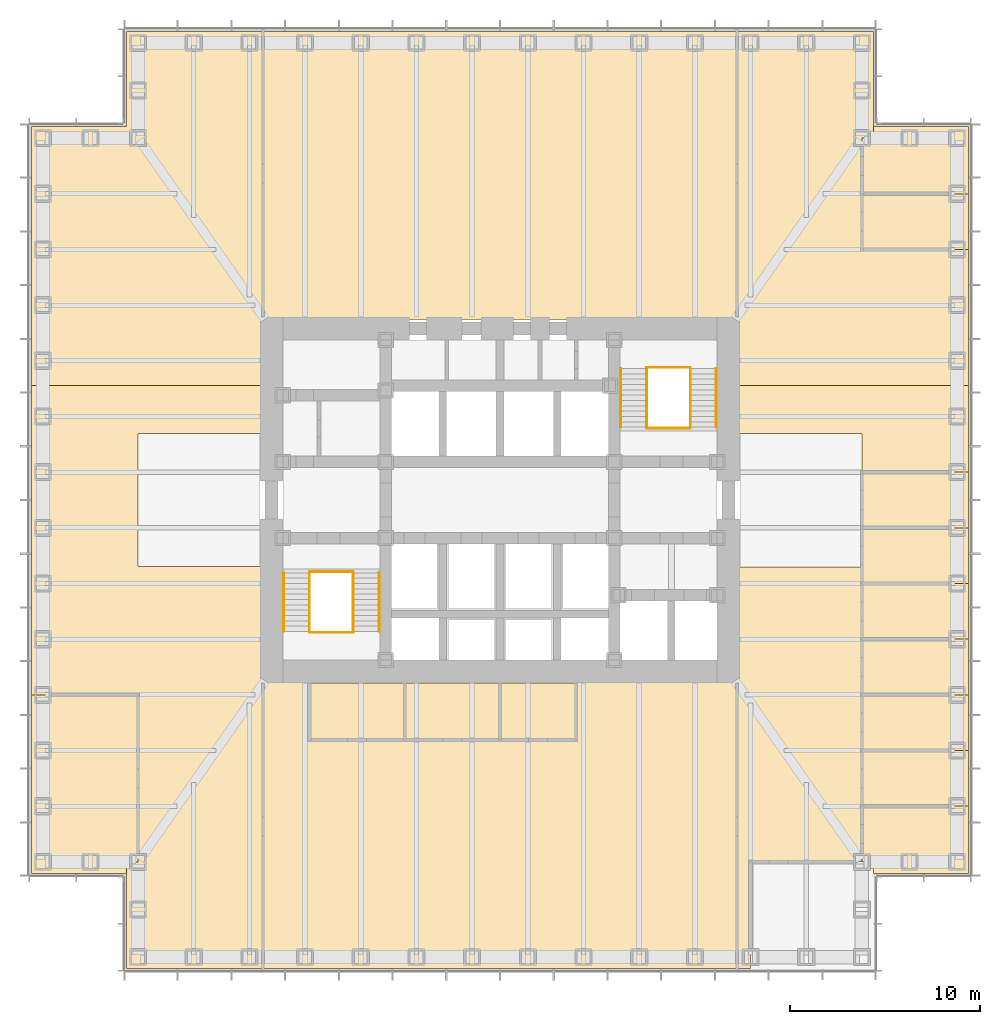
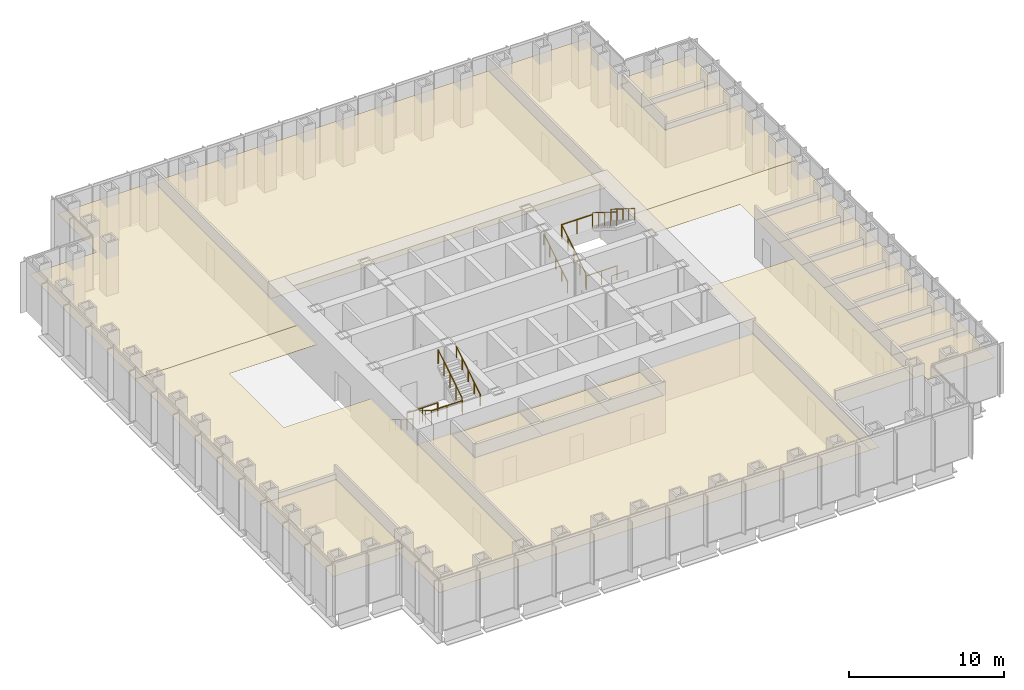
# One storey, part 16 of 16: 20 coverings, 12 railings.
"""IFC4 building model written with IfcOpenShell, lengths in metres."""

from ifc_helpers import new_model, si_unit, direction, frame, origin, origin_2d, place, context, subcontext, project, spatial, polyline, circle, outline, extrude, material, layer, layer_set, type_object, element, save


model = new_model("IFC4")

# Units and contexts
model_context = context("Model", 3, precision=1e-05, world=origin(), true_north=direction((0.0, 1.0)))
body_context = subcontext(model_context, "Body", "Model", "MODEL_VIEW")
ifc_project = project(units=[si_unit("LENGTHUNIT", "METRE"), si_unit("AREAUNIT", "SQUARE_METRE"), si_unit("VOLUMEUNIT", "CUBIC_METRE"), si_unit("PLANEANGLEUNIT", "RADIAN"), si_unit("MASSUNIT", "GRAM", prefix="KILO")], contexts=[model_context])

# Site, building, storey
site_placement = place(None, origin())
site = spatial("IfcSite", under=ifc_project, at=site_placement, CompositionType="ELEMENT")
building_placement = place(site_placement, origin())
building = spatial("IfcBuilding", under=site, at=building_placement, Name="Daluyong Arena Tower", CompositionType="ELEMENT")
storey_placement = place(building_placement, frame((0.0, 0.0, 72.699951171875)))
storey = spatial("IfcBuildingStorey", under=building, at=storey_placement, Name="L15", CompositionType="ELEMENT", Elevation=72.699951171875)

# Coverings
ifc_material_1 = material(Name="Mineral fibre ceiling tile", Category="gypsum board")
ifc_layer = layer(ifc_material_1, 0.02001953125)
ifc_layer_set = layer_set([ifc_layer], Name="Mineral fibre ceiling tile")
covering_type = type_object("IfcCoveringType", Name="Office ceiling", PredefinedType="CEILING", material=ifc_layer_set)
covering_1_placement = place(storey_placement, frame((0.0, 0.0, 2.900146484375)))
element("IfcCovering", 1, at=covering_1_placement, inside=storey, type_object=covering_type, Name="ceiling L15-02", PredefinedType="CEILING", context=body_context, shape_type="SweptSolid", body=[
    extrude(outline(polyline([(75.60009765625, 60.39990234375), (80.60009765625, 60.39990234375), (80.60009765625, 63.923095703125), (75.0, 63.923095703125), (75.0, 61.0), (75.60009765625, 61.0), (75.60009765625, 60.39990234375)])), origin(), (0.0, 0.0, 1.0), 0.02001953125),
])
covering_2_placement = place(storey_placement, frame((0.0, 0.0, 2.900146484375)))
element("IfcCovering", 2, at=covering_2_placement, inside=storey, type_object=covering_type, Name="ceiling L15-03", PredefinedType="CEILING", context=body_context, shape_type="SweptSolid", body=[
    extrude(outline(polyline([(75.0, 63.923095703125), (80.60009765625, 63.923095703125), (80.60009765625, 66.84619140625), (75.0, 66.84619140625), (75.0, 63.923095703125)])), origin(), (0.0, 0.0, 1.0), 0.02001953125),
])
covering_3_placement = place(storey_placement, frame((0.0, 0.0, 2.900146484375)))
element("IfcCovering", 3, at=covering_3_placement, inside=storey, type_object=covering_type, Name="ceiling L15-04", PredefinedType="CEILING", context=body_context, shape_type="SweptSolid", body=[
    extrude(outline(polyline([(75.0, 66.84619140625), (80.60009765625, 66.84619140625), (80.60009765625, 69.769287109375), (75.0, 69.769287109375), (75.0, 66.84619140625)])), origin(), (0.0, 0.0, 1.0), 0.02001953125),
])
covering_4_placement = place(storey_placement, frame((0.0, 0.0, 2.900146484375)))
element("IfcCovering", 4, at=covering_4_placement, inside=storey, type_object=covering_type, Name="ceiling L15-05", PredefinedType="CEILING", context=body_context, shape_type="SweptSolid", body=[
    extrude(outline(polyline([(75.0, 69.769287109375), (80.60009765625, 69.769287109375), (80.60009765625, 72.6923828125), (75.0, 72.6923828125), (75.0, 69.769287109375)])), origin(), (0.0, 0.0, 1.0), 0.02001953125),
])
covering_5_placement = place(storey_placement, frame((0.0, 0.0, 2.900146484375)))
element("IfcCovering", 5, at=covering_5_placement, inside=storey, type_object=covering_type, Name="ceiling L15-06", PredefinedType="CEILING", context=body_context, shape_type="SweptSolid", body=[
    extrude(outline(polyline([(75.0, 72.6923828125), (80.60009765625, 72.6923828125), (80.60009765625, 75.615478515625), (75.0, 75.615478515625), (75.0, 72.6923828125)])), origin(), (0.0, 0.0, 1.0), 0.02001953125),
])
covering_6_placement = place(storey_placement, frame((0.0, 0.0, 2.900146484375)))
element("IfcCovering", 6, at=covering_6_placement, inside=storey, type_object=covering_type, Name="ceiling L15-07", PredefinedType="CEILING", context=body_context, shape_type="SweptSolid", body=[
    extrude(outline(polyline([(75.0, 75.615478515625), (80.60009765625, 75.615478515625), (80.60009765625, 78.53857421875), (75.0, 78.53857421875), (75.0, 75.615478515625)])), origin(), (0.0, 0.0, 1.0), 0.02001953125),
])
covering_7_placement = place(storey_placement, frame((0.0, 0.0, 2.900146484375)))
element("IfcCovering", 7, at=covering_7_placement, inside=storey, type_object=covering_type, Name="ceiling L15-08", PredefinedType="CEILING", context=body_context, shape_type="SweptSolid", body=[
    extrude(outline(polyline([(75.0, 78.53857421875), (80.60009765625, 78.53857421875), (80.60009765625, 81.46142578125), (75.0, 81.46142578125), (75.0, 78.53857421875)])), origin(), (0.0, 0.0, 1.0), 0.02001953125),
])
covering_8_placement = place(storey_placement, frame((0.0, 0.0, 2.900146484375)))
element("IfcCovering", 8, at=covering_8_placement, inside=storey, type_object=covering_type, Name="ceiling L15-09", PredefinedType="CEILING", context=body_context, shape_type="SweptSolid", body=[
    extrude(outline(polyline([(75.0, 93.15380859375), (80.60009765625, 93.15380859375), (80.60009765625, 96.076904296875), (75.0, 96.076904296875), (75.0, 93.15380859375)])), origin(), (0.0, 0.0, 1.0), 0.02001953125),
])
covering_9_placement = place(storey_placement, frame((0.0, 0.0, 2.900146484375)))
element("IfcCovering", 9, at=covering_9_placement, inside=storey, type_object=covering_type, Name="ceiling L15-10", PredefinedType="CEILING", context=body_context, shape_type="SweptSolid", body=[
    extrude(outline(polyline([(75.0, 96.076904296875), (80.60009765625, 96.076904296875), (80.60009765625, 99.60009765625), (75.60009765625, 99.60009765625), (75.60009765625, 99.0), (75.0, 99.0), (75.0, 96.076904296875)])), origin(), (0.0, 0.0, 1.0), 0.02001953125),
])
covering_10_placement = place(storey_placement, frame((0.0, 0.0, 2.900146484375)))
element("IfcCovering", 10, at=covering_10_placement, inside=storey, type_object=covering_type, Name="ceiling L15-11", PredefinedType="CEILING", context=body_context, shape_type="SweptSolid", body=[
    extrude(outline(polyline([(31.39990234375, 60.39990234375), (36.39990234375, 60.39990234375), (36.39990234375, 61.0), (37.0, 61.0), (37.0, 69.769287109375), (31.39990234375, 69.769287109375), (31.39990234375, 60.39990234375)])), origin(), (0.0, 0.0, 1.0), 0.02001953125),
])
covering_11_placement = place(storey_placement, frame((0.0, 0.0, 2.900146484375)))
element("IfcCovering", 11, at=covering_11_placement, inside=storey, type_object=covering_type, Name="ceiling L15-12", PredefinedType="CEILING", context=body_context, shape_type="SweptSolid", body=[
    extrude(outline(polyline([(46.0, 67.39990234375), (51.0, 67.39990234375), (51.0, 70.39990234375), (46.0, 70.39990234375), (46.0, 67.39990234375)])), origin(), (0.0, 0.0, 1.0), 0.02001953125),
])
covering_12_placement = place(storey_placement, frame((0.0, 0.0, 2.900146484375)))
element("IfcCovering", 12, at=covering_12_placement, inside=storey, type_object=covering_type, Name="ceiling L15-13", PredefinedType="CEILING", context=body_context, shape_type="SweptSolid", body=[
    extrude(outline(polyline([(51.0, 67.39990234375), (56.0, 67.39990234375), (56.0, 70.39990234375), (51.0, 70.39990234375), (51.0, 67.39990234375)])), origin(), (0.0, 0.0, 1.0), 0.02001953125),
])
covering_13_placement = place(storey_placement, frame((0.0, 0.0, 2.900146484375)))
element("IfcCovering", 13, at=covering_13_placement, inside=storey, type_object=covering_type, Name="ceiling L15-14", PredefinedType="CEILING", context=body_context, shape_type="SweptSolid", body=[
    extrude(outline(polyline([(56.0, 67.39990234375), (60.0, 67.39990234375), (60.0, 70.39990234375), (56.0, 70.39990234375), (56.0, 67.39990234375)])), origin(), (0.0, 0.0, 1.0), 0.02001953125),
])
covering_14_placement = place(storey_placement, frame((0.0, 0.0, 2.900146484375)))
element("IfcCovering", 14, at=covering_14_placement, inside=storey, type_object=covering_type, Name="ceiling L15-17", PredefinedType="CEILING", context=body_context, shape_type="SweptSolid", body=[
    extrude(outline(polyline([(68.449951171875, 70.550048828125), (43.550048828125, 70.550048828125), (43.550048828125, 55.39990234375), (68.449951171875, 55.39990234375), (68.449951171875, 70.550048828125)]), holes=[polyline([(46.0, 67.39990234375), (46.0, 70.39990234375), (60.0, 70.39990234375), (60.0, 67.39990234375), (46.0, 67.39990234375)])]), origin(), (0.0, 0.0, 1.0), 0.02001953125),
])
covering_15_placement = place(storey_placement, frame((0.0, 0.0, 2.900146484375)))
element("IfcCovering", 15, at=covering_15_placement, inside=storey, type_object=covering_type, Name="ceiling L15-18", PredefinedType="CEILING", context=body_context, shape_type="SweptSolid", body=[
    extrude(outline(polyline([(68.449951171875, 104.60009765625), (43.550048828125, 104.60009765625), (43.550048828125, 89.449951171875), (68.449951171875, 89.449951171875), (68.449951171875, 104.60009765625)])), origin(), (0.0, 0.0, 1.0), 0.02001953125),
])
covering_16_placement = place(storey_placement, frame((0.0, 0.0, 2.900146484375)))
element("IfcCovering", 16, at=covering_16_placement, inside=storey, type_object=covering_type, Name="ceiling L15-19", PredefinedType="CEILING", context=body_context, shape_type="SweptSolid", body=[
    extrude(outline(polyline([(43.550048828125, 83.5), (43.550048828125, 86.0), (31.39990234375, 86.0), (31.39990234375, 69.769287109375), (37.0, 69.769287109375), (37.0, 61.0), (36.39990234375, 61.0), (36.39990234375, 55.39990234375), (43.550048828125, 55.39990234375), (43.550048828125, 76.5), (37.0, 76.5), (37.0, 83.5), (43.550048828125, 83.5)])), origin(), (0.0, 0.0, 1.0), 0.02001953125),
])
covering_17_placement = place(storey_placement, frame((0.0, 0.0, 2.900146484375)))
element("IfcCovering", 17, at=covering_17_placement, inside=storey, type_object=covering_type, Name="ceiling L15-20", PredefinedType="CEILING", context=body_context, shape_type="SweptSolid", body=[
    extrude(outline(polyline([(43.550048828125, 104.60009765625), (36.39990234375, 104.60009765625), (36.39990234375, 99.60009765625), (31.39990234375, 99.60009765625), (31.39990234375, 86.0), (43.550048828125, 86.0), (43.550048828125, 104.60009765625)])), origin(), (0.0, 0.0, 1.0), 0.02001953125),
])
covering_18_placement = place(storey_placement, frame((0.0, 0.0, 2.900146484375)))
element("IfcCovering", 18, at=covering_18_placement, inside=storey, type_object=covering_type, Name="ceiling L15-21", PredefinedType="CEILING", context=body_context, shape_type="SweptSolid", body=[
    extrude(outline(polyline([(80.60009765625, 81.46142578125), (80.60009765625, 86.0), (68.449951171875, 86.0), (68.449951171875, 83.5), (75.0, 83.5), (75.0, 81.46142578125), (80.60009765625, 81.46142578125)])), origin(), (0.0, 0.0, 1.0), 0.02001953125),
])
covering_19_placement = place(storey_placement, frame((0.0, 0.0, 2.900146484375)))
element("IfcCovering", 19, at=covering_19_placement, inside=storey, type_object=covering_type, Name="ceiling L15-22", PredefinedType="CEILING", context=body_context, shape_type="SweptSolid", body=[
    extrude(outline(polyline([(74.989990234375, 61.010009765625), (74.989990234375, 76.489990234375), (68.4599609375, 76.489990234375), (68.4599609375, 55.409912109375), (69.143798828125, 55.409912109375), (69.143798828125, 61.010009765625), (74.989990234375, 61.010009765625)])), origin(), (0.0, 0.0, 1.0), 0.02001953125),
])
covering_20_placement = place(storey_placement, frame((0.0, 0.0, 2.900146484375)))
element("IfcCovering", 20, at=covering_20_placement, inside=storey, type_object=covering_type, Name="ceiling L15-23", PredefinedType="CEILING", context=body_context, shape_type="SweptSolid", body=[
    extrude(outline(polyline([(75.60009765625, 104.60009765625), (68.449951171875, 104.60009765625), (68.449951171875, 86.0), (80.60009765625, 86.0), (80.60009765625, 93.15380859375), (75.0, 93.15380859375), (75.0, 99.0), (75.60009765625, 99.0), (75.60009765625, 104.60009765625)])), origin(), (0.0, 0.0, 1.0), 0.02001953125),
])

# Railings
ifc_material_2 = material(Name="Stainless steel handrail", Category="steel")
railing_type_1 = type_object("IfcRailingType", Name="Stair handrail", PredefinedType="HANDRAIL", material=ifc_material_2)
railing_1_placement = place(storey_placement, frame((44.64990234375, 76.175048828125, 0.175048828125)))
element("IfcRailing", 21, at=railing_1_placement, inside=storey, type_object=railing_type_1, Name="exit stair A handrail L15", PredefinedType="HANDRAIL", context=body_context, shape_type="SweptSolid", body=[
    extrude(circle(Radius=0.02392578125, at=origin_2d()), frame((0.0, 0.0, 0.8759765625), z_axis=(0.0, -0.847998304005, 0.529998940003), x_axis=(1.0, 0.0, 0.0)), (0.0, 0.0, 1.0), 3.632080078125),
    extrude(circle(Radius=0.02099609375, at=origin_2d()), origin(), (0.0, 0.0, 1.0), 0.851806640625),
    extrude(circle(Radius=0.02099609375, at=origin_2d()), frame((0.0, -0.77001953125, 0.481201171875)), (0.0, 0.0, 1.0), 0.851806640625),
    extrude(circle(Radius=0.02099609375, at=origin_2d()), frame((0.0, -1.5400390625, 0.96240234375)), (0.0, 0.0, 1.0), 0.851806640625),
    extrude(circle(Radius=0.02099609375, at=origin_2d()), frame((0.0, -2.31005859375, 1.44384765625)), (0.0, 0.0, 1.0), 0.851806640625),
    extrude(circle(Radius=0.02099609375, at=origin_2d()), frame((0.0, -3.080078125, 1.925048828125)), (0.0, 0.0, 1.0), 0.851806640625),
])
railing_2_placement = place(storey_placement, frame((49.64990234375, 73.094970703125, 2.275146484375)))
element("IfcRailing", 22, at=railing_2_placement, inside=storey, type_object=railing_type_1, Name="exit stair A handrail L15", PredefinedType="HANDRAIL", context=body_context, shape_type="SweptSolid", body=[
    extrude(circle(Radius=0.02392578125, at=origin_2d()), frame((0.0, 0.0, 0.8759765625), z_axis=(0.0, 0.848028513186, 0.529950602248), x_axis=(-1.0, 0.0, 0.0)), (0.0, 0.0, 1.0), 3.632080078125),
    extrude(circle(Radius=0.02099609375, at=origin_2d()), origin(), (0.0, 0.0, 1.0), 0.851806640625),
    extrude(circle(Radius=0.02099609375, at=origin_2d()), frame((0.0, 0.77001953125, 0.481201171875)), (0.0, 0.0, 1.0), 0.851806640625),
    extrude(circle(Radius=0.02099609375, at=origin_2d()), frame((0.0, 1.5400390625, 0.96240234375)), (0.0, 0.0, 1.0), 0.851806640625),
    extrude(circle(Radius=0.02099609375, at=origin_2d()), frame((0.0, 2.31005859375, 1.443603515625)), (0.0, 0.0, 1.0), 0.851806640625),
    extrude(circle(Radius=0.02099609375, at=origin_2d()), frame((0.0, 3.080078125, 1.9248046875)), (0.0, 0.0, 1.0), 0.851806640625),
])
railing_3_placement = place(storey_placement, frame((62.35009765625, 83.824951171875, 0.175048828125)))
element("IfcRailing", 23, at=railing_3_placement, inside=storey, type_object=railing_type_1, Name="exit stair B handrail L15", PredefinedType="HANDRAIL", context=body_context, shape_type="SweptSolid", body=[
    extrude(circle(Radius=0.02392578125, at=origin_2d()), frame((0.0, 0.0, 0.8759765625), z_axis=(0.0, 0.847998304005, 0.529998940003), x_axis=(-1.0, 0.0, 0.0)), (0.0, 0.0, 1.0), 3.632080078125),
    extrude(circle(Radius=0.02099609375, at=origin_2d()), origin(), (0.0, 0.0, 1.0), 0.851806640625),
    extrude(circle(Radius=0.02099609375, at=origin_2d()), frame((0.0, 0.77001953125, 0.481201171875)), (0.0, 0.0, 1.0), 0.851806640625),
    extrude(circle(Radius=0.02099609375, at=origin_2d()), frame((0.0, 1.5400390625, 0.96240234375)), (0.0, 0.0, 1.0), 0.851806640625),
    extrude(circle(Radius=0.02099609375, at=origin_2d()), frame((0.0, 2.31005859375, 1.44384765625)), (0.0, 0.0, 1.0), 0.851806640625),
    extrude(circle(Radius=0.02099609375, at=origin_2d()), frame((0.0, 3.080078125, 1.925048828125)), (0.0, 0.0, 1.0), 0.851806640625),
])
railing_4_placement = place(storey_placement, frame((67.35009765625, 86.905029296875, 2.275146484375)))
element("IfcRailing", 24, at=railing_4_placement, inside=storey, type_object=railing_type_1, Name="exit stair B handrail L15", PredefinedType="HANDRAIL", context=body_context, shape_type="SweptSolid", body=[
    extrude(circle(Radius=0.02392578125, at=origin_2d()), frame((0.0, 0.0, 0.8759765625), z_axis=(0.0, -0.848028513186, 0.529950602248), x_axis=(1.0, 0.0, 0.0)), (0.0, 0.0, 1.0), 3.632080078125),
    extrude(circle(Radius=0.02099609375, at=origin_2d()), origin(), (0.0, 0.0, 1.0), 0.851806640625),
    extrude(circle(Radius=0.02099609375, at=origin_2d()), frame((0.0, -0.77001953125, 0.481201171875)), (0.0, 0.0, 1.0), 0.851806640625),
    extrude(circle(Radius=0.02099609375, at=origin_2d()), frame((0.0, -1.5400390625, 0.96240234375)), (0.0, 0.0, 1.0), 0.851806640625),
    extrude(circle(Radius=0.02099609375, at=origin_2d()), frame((0.0, -2.31005859375, 1.443603515625)), (0.0, 0.0, 1.0), 0.851806640625),
    extrude(circle(Radius=0.02099609375, at=origin_2d()), frame((0.0, -3.080078125, 1.9248046875)), (0.0, 0.0, 1.0), 0.851806640625),
])
ifc_material_3 = material(Name="Steel balustrade", Category="steel")
railing_type_2 = type_object("IfcRailingType", Name="Stair well guard 1100", PredefinedType="GUARDRAIL", material=ifc_material_3)
railing_5_placement = place(storey_placement, frame((46.0, 76.175048828125, 0.175048828125)))
element("IfcRailing", 25, at=railing_5_placement, inside=storey, type_object=railing_type_2, Name="exit stair A well guard L15", PredefinedType="GUARDRAIL", context=body_context, shape_type="SweptSolid", body=[
    extrude(circle(Radius=0.02392578125, at=origin_2d()), frame((0.0, 0.0, 1.076171875), z_axis=(0.0, -0.847998304005, 0.529998940003), x_axis=(1.0, 0.0, 0.0)), (0.0, 0.0, 1.0), 3.632080078125),
    extrude(circle(Radius=0.02099609375, at=origin_2d()), origin(), (0.0, 0.0, 1.0), 1.052001953125),
    extrude(circle(Radius=0.02099609375, at=origin_2d()), frame((0.0, -0.77001953125, 0.481201171875)), (0.0, 0.0, 1.0), 1.052001953125),
    extrude(circle(Radius=0.02099609375, at=origin_2d()), frame((0.0, -1.5400390625, 0.96240234375)), (0.0, 0.0, 1.0), 1.052001953125),
    extrude(circle(Radius=0.02099609375, at=origin_2d()), frame((0.0, -2.31005859375, 1.44384765625)), (0.0, 0.0, 1.0), 1.052001953125),
    extrude(circle(Radius=0.02099609375, at=origin_2d()), frame((0.0, -3.080078125, 1.925048828125)), (0.0, 0.0, 1.0), 1.052001953125),
])
railing_6_placement = place(storey_placement, frame((48.300048828125, 73.094970703125, 2.275146484375)))
element("IfcRailing", 26, at=railing_6_placement, inside=storey, type_object=railing_type_2, Name="exit stair A well guard L15", PredefinedType="GUARDRAIL", context=body_context, shape_type="SweptSolid", body=[
    extrude(circle(Radius=0.02392578125, at=origin_2d()), frame((0.0, 0.0, 1.076171875), z_axis=(0.0, 0.848028513186, 0.529950602248), x_axis=(-1.0, 0.0, 0.0)), (0.0, 0.0, 1.0), 3.632080078125),
    extrude(circle(Radius=0.02099609375, at=origin_2d()), origin(), (0.0, 0.0, 1.0), 1.052001953125),
    extrude(circle(Radius=0.02099609375, at=origin_2d()), frame((0.0, 0.77001953125, 0.481201171875)), (0.0, 0.0, 1.0), 1.052001953125),
    extrude(circle(Radius=0.02099609375, at=origin_2d()), frame((0.0, 1.5400390625, 0.96240234375)), (0.0, 0.0, 1.0), 1.052001953125),
    extrude(circle(Radius=0.02099609375, at=origin_2d()), frame((0.0, 2.31005859375, 1.443603515625)), (0.0, 0.0, 1.0), 1.052001953125),
    extrude(circle(Radius=0.02099609375, at=origin_2d()), frame((0.0, 3.080078125, 1.9248046875)), (0.0, 0.0, 1.0), 1.052001953125),
])
for number, where, name in (
    (27, (46.0, 73.044921875, 2.10009765625), "exit stair A landing guard L15"),
    (28, (46.0, 76.22509765625, 0.0), "exit stair A floor landing guard L15"),
):
    element("IfcRailing", number, at=place(storey_placement, frame(where)), inside=storey, type_object=railing_type_2, Name=name, PredefinedType="GUARDRAIL", context=body_context, shape_type="SweptSolid", body=[
        extrude(circle(Radius=0.02392578125, at=origin_2d()), frame((0.0, 0.0, 1.076171875), z_axis=(1.0, 0.0, 0.0), x_axis=(0.0, 1.0, 0.0)), (0.0, 0.0, 1.0), 2.300048828125),
        extrude(circle(Radius=0.02099609375, at=origin_2d()), origin(), (0.0, 0.0, 1.0), 1.052001953125),
        extrude(circle(Radius=0.02099609375, at=origin_2d()), frame((1.14990234375, 0.0, 0.0)), (0.0, 0.0, 1.0), 1.052001953125),
        extrude(circle(Radius=0.02099609375, at=origin_2d()), frame((2.300048828125, 0.0, 0.0)), (0.0, 0.0, 1.0), 1.052001953125),
    ])
railing_7_placement = place(storey_placement, frame((63.699951171875, 83.824951171875, 0.175048828125)))
element("IfcRailing", 29, at=railing_7_placement, inside=storey, type_object=railing_type_2, Name="exit stair B well guard L15", PredefinedType="GUARDRAIL", context=body_context, shape_type="SweptSolid", body=[
    extrude(circle(Radius=0.02392578125, at=origin_2d()), frame((0.0, 0.0, 1.076171875), z_axis=(0.0, 0.847998304005, 0.529998940003), x_axis=(-1.0, 0.0, 0.0)), (0.0, 0.0, 1.0), 3.632080078125),
    extrude(circle(Radius=0.02099609375, at=origin_2d()), origin(), (0.0, 0.0, 1.0), 1.052001953125),
    extrude(circle(Radius=0.02099609375, at=origin_2d()), frame((0.0, 0.77001953125, 0.481201171875)), (0.0, 0.0, 1.0), 1.052001953125),
    extrude(circle(Radius=0.02099609375, at=origin_2d()), frame((0.0, 1.5400390625, 0.96240234375)), (0.0, 0.0, 1.0), 1.052001953125),
    extrude(circle(Radius=0.02099609375, at=origin_2d()), frame((0.0, 2.31005859375, 1.44384765625)), (0.0, 0.0, 1.0), 1.052001953125),
    extrude(circle(Radius=0.02099609375, at=origin_2d()), frame((0.0, 3.080078125, 1.925048828125)), (0.0, 0.0, 1.0), 1.052001953125),
])
railing_8_placement = place(storey_placement, frame((66.0, 86.905029296875, 2.275146484375)))
element("IfcRailing", 30, at=railing_8_placement, inside=storey, type_object=railing_type_2, Name="exit stair B well guard L15", PredefinedType="GUARDRAIL", context=body_context, shape_type="SweptSolid", body=[
    extrude(circle(Radius=0.02392578125, at=origin_2d()), frame((0.0, 0.0, 1.076171875), z_axis=(0.0, -0.848028513186, 0.529950602248), x_axis=(1.0, 0.0, 0.0)), (0.0, 0.0, 1.0), 3.632080078125),
    extrude(circle(Radius=0.02099609375, at=origin_2d()), origin(), (0.0, 0.0, 1.0), 1.052001953125),
    extrude(circle(Radius=0.02099609375, at=origin_2d()), frame((0.0, -0.77001953125, 0.481201171875)), (0.0, 0.0, 1.0), 1.052001953125),
    extrude(circle(Radius=0.02099609375, at=origin_2d()), frame((0.0, -1.5400390625, 0.96240234375)), (0.0, 0.0, 1.0), 1.052001953125),
    extrude(circle(Radius=0.02099609375, at=origin_2d()), frame((0.0, -2.31005859375, 1.443603515625)), (0.0, 0.0, 1.0), 1.052001953125),
    extrude(circle(Radius=0.02099609375, at=origin_2d()), frame((0.0, -3.080078125, 1.9248046875)), (0.0, 0.0, 1.0), 1.052001953125),
])
for number, where, name in (
    (31, (63.699951171875, 86.955078125, 2.10009765625), "exit stair B landing guard L15"),
    (32, (63.699951171875, 83.77490234375, 0.0), "exit stair B floor landing guard L15"),
):
    element("IfcRailing", number, at=place(storey_placement, frame(where)), inside=storey, type_object=railing_type_2, Name=name, PredefinedType="GUARDRAIL", context=body_context, shape_type="SweptSolid", body=[
        extrude(circle(Radius=0.02392578125, at=origin_2d()), frame((0.0, 0.0, 1.076171875), z_axis=(1.0, 0.0, 0.0), x_axis=(0.0, 1.0, 0.0)), (0.0, 0.0, 1.0), 2.300048828125),
        extrude(circle(Radius=0.02099609375, at=origin_2d()), origin(), (0.0, 0.0, 1.0), 1.052001953125),
        extrude(circle(Radius=0.02099609375, at=origin_2d()), frame((1.14990234375, 0.0, 0.0)), (0.0, 0.0, 1.0), 1.052001953125),
        extrude(circle(Radius=0.02099609375, at=origin_2d()), frame((2.300048828125, 0.0, 0.0)), (0.0, 0.0, 1.0), 1.052001953125),
    ])

save(model, "model.ifc")
